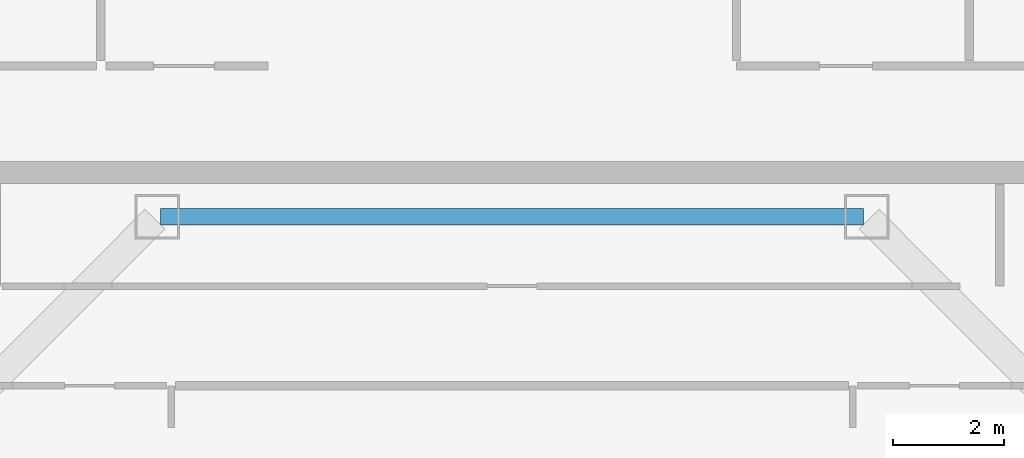
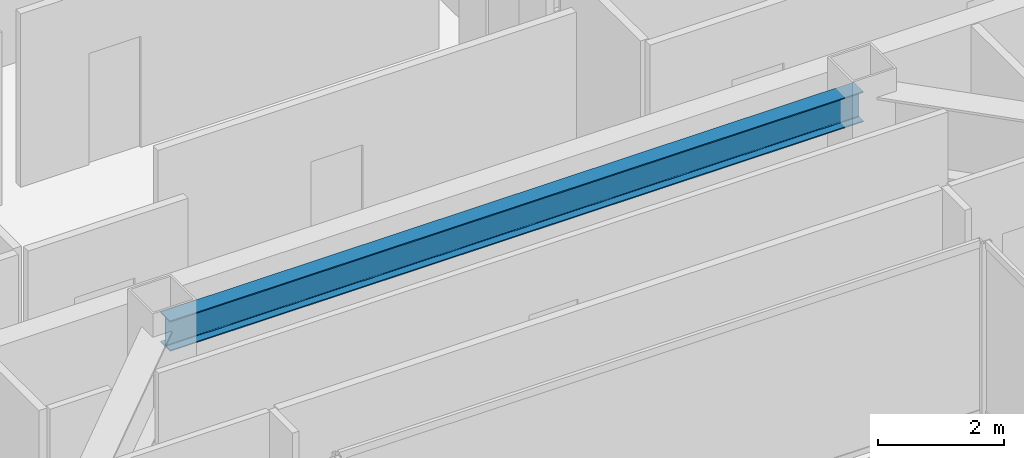
# One storey, part 13 of 35: 1 beam.
"""IFC4 building model written with IfcOpenShell, lengths in metres."""

from ifc_helpers import new_model, si_unit, direction, frame, origin, origin_2d, place, context, subcontext, project, spatial, i_section, extrude, material, material_profile, profile_set, type_object, element, save


model = new_model("IFC4")

# Units and contexts
model_context = context("Model", 3, precision=1e-05, world=origin(), true_north=direction((0.0, 1.0)))
body_context = subcontext(model_context, "Body", "Model", "MODEL_VIEW")
ifc_project = project(units=[si_unit("LENGTHUNIT", "METRE"), si_unit("AREAUNIT", "SQUARE_METRE"), si_unit("VOLUMEUNIT", "CUBIC_METRE"), si_unit("PLANEANGLEUNIT", "RADIAN"), si_unit("MASSUNIT", "GRAM", prefix="KILO")], contexts=[model_context])

# Site, building, storey
site_placement = place(None, origin())
site = spatial("IfcSite", under=ifc_project, at=site_placement, CompositionType="ELEMENT")
building_placement = place(site_placement, origin())
building = spatial("IfcBuilding", under=site, at=building_placement, Name="Saevonmaru Cultural Tower", CompositionType="ELEMENT")
storey_placement = place(building_placement, frame((0.0, 0.0, 249.60009765625)))
storey = spatial("IfcBuildingStorey", under=building, at=storey_placement, Name="L58", CompositionType="ELEMENT", Elevation=249.60009765625)

# Beam
ifc_material = material(Name="Steel SM355", Category="steel")
ifc_material_profile = material_profile(ifc_material, i_section(OverallWidth=0.300048828125, OverallDepth=0.587890625, WebThickness=0.011962890625, FlangeThickness=0.02001953125, FilletRadius=0.02392578125, at=origin_2d()), Name="H-588x300x12x20")
ifc_profile_set = profile_set([ifc_material_profile], Name="Steel SM355")
beam_type = type_object("IfcBeamType", Name="BM-G-H588", PredefinedType="BEAM", material=ifc_profile_set)
beam_placement = place(storey_placement, frame((23.659912109375, 42.39990234375, 3.055908203125), z_axis=(1.0, 0.0, 0.0), x_axis=(0.0, 1.0, 0.0)))
element("IfcBeam", 1, at=beam_placement, inside=storey, type_object=beam_type, Name="L58 Core South Girder 3", PredefinedType="BEAM", context=body_context, shape_type="SweptSolid", body=[
    extrude(i_section(OverallWidth=0.300048828125, OverallDepth=0.587890625, WebThickness=0.011962890625, FlangeThickness=0.02001953125, FilletRadius=0.02392578125, at=origin_2d()), origin(), (0.0, 0.0, 1.0), 12.68017578125),
])

save(model, "model.ifc")
